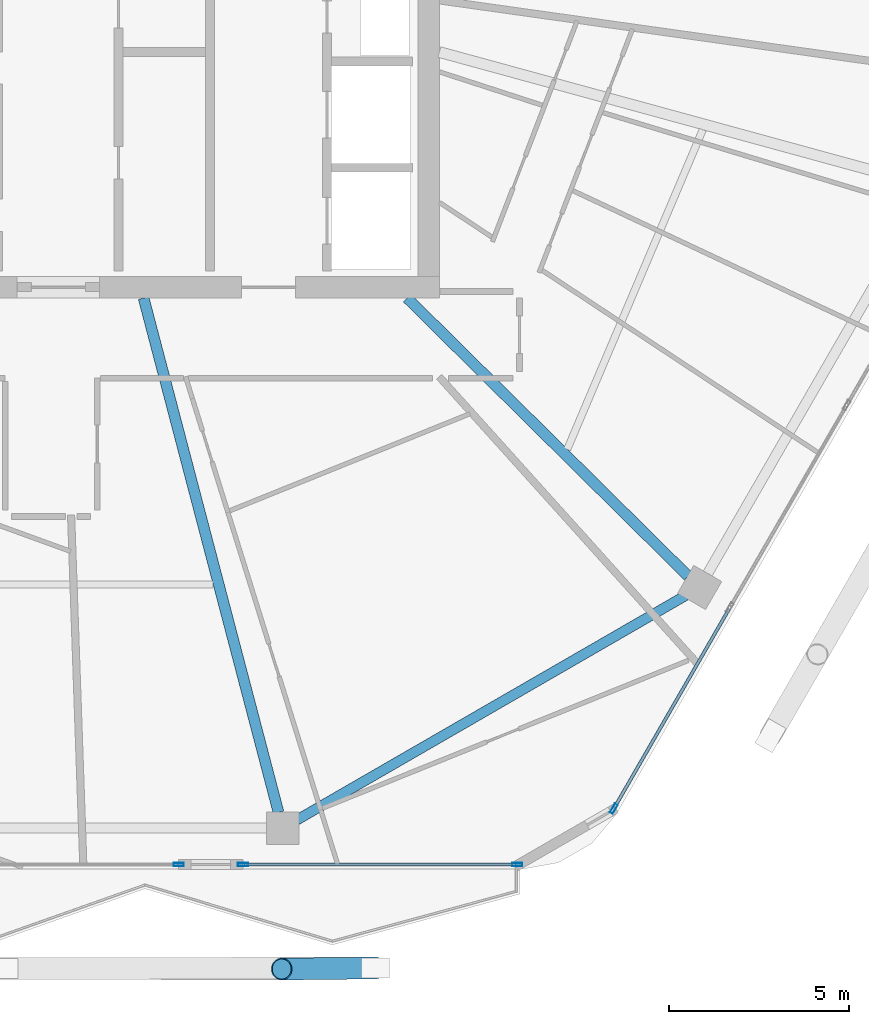
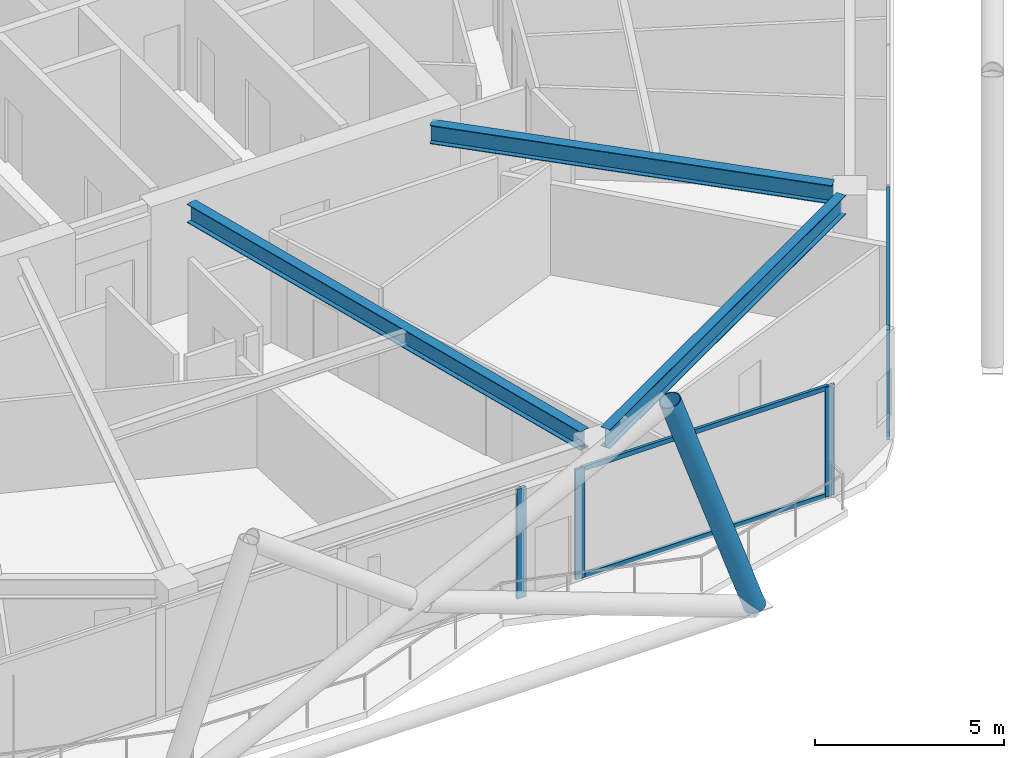
# One storey, part 8 of 26: 9 members, 3 beams, 3 elements without a shape of their own.
"""IFC4 building model written with IfcOpenShell, lengths in metres."""

from ifc_helpers import new_model, si_unit, direction, frame, origin, origin_2d, place, context, subcontext, project, spatial, hollow_rectangle, hollow_circle, i_section, extrude, material, material_profile, profile_set, type_object, element, aggregate, save


model = new_model("IFC4")

# Units and contexts
model_context = context("Model", 3, precision=1e-05, world=origin(), true_north=direction((0.0, 1.0)))
body_context = subcontext(model_context, "Body", "Model", "MODEL_VIEW")
ifc_project = project(units=[si_unit("LENGTHUNIT", "METRE"), si_unit("AREAUNIT", "SQUARE_METRE"), si_unit("VOLUMEUNIT", "CUBIC_METRE"), si_unit("PLANEANGLEUNIT", "RADIAN"), si_unit("MASSUNIT", "GRAM", prefix="KILO")], contexts=[model_context])

# Site, building, storey
site_placement = place(None, origin())
site = spatial("IfcSite", under=ifc_project, at=site_placement, CompositionType="ELEMENT")
building_placement = place(site_placement, origin())
building = spatial("IfcBuilding", under=site, at=building_placement, Name="Zuhravey Tower", CompositionType="ELEMENT")
storey_placement = place(building_placement, frame((0.0, 0.0, 231.199951171875)))
storey = spatial("IfcBuildingStorey", under=building, at=storey_placement, Name="L58", CompositionType="ELEMENT", Elevation=231.199951171875)

# Curtain wall, member
ifc_material_1 = material(Name="Thermally broken anodised aluminium", Category="aluminium")
curtain_wall_type = type_object("IfcCurtainWallType", Name="Zone 3-4 High-Rise Curtain Wall CW4", PredefinedType="NOTDEFINED", material=ifc_material_1)
curtain_wall_1_placement = place(storey_placement, origin())
curtain_wall_1 = element("IfcCurtainWall", 1, at=curtain_wall_1_placement, inside=storey, type_object=curtain_wall_type, Name="L58 CW4 CW-L58-F6-1", PredefinedType="NOTDEFINED")
ifc_material_2 = material(Name="Anodised aluminium", Category="aluminium")
ifc_material_profile_1 = material_profile(ifc_material_2, hollow_rectangle(XDim=0.090087890625, YDim=0.284912109375, WallThickness=0.0048828125, at=origin_2d()), Name="ALU-RHS-90x285x5")
ifc_profile_set_1 = profile_set([ifc_material_profile_1], Name="Anodised aluminium")
member_type_1 = type_object("IfcMemberType", Name="Curtain-Wall Mullion 90x180", PredefinedType="MULLION", material=ifc_profile_set_1)
member_1_placement = place(storey_placement, frame((51.65478515625, 7.98779296875, 0.0), z_axis=(0.0, 0.0, 1.0), x_axis=(0.866024851021, -0.500000957414, 0.0)))
member_1 = element("IfcMember", 2, at=member_1_placement, type_object=member_type_1, Name="CW4 mullion 5", PredefinedType="MULLION", context=body_context, shape_type="SweptSolid", body=[
    extrude(hollow_rectangle(XDim=0.090087890625, YDim=0.284912109375, WallThickness=0.0048828125, at=origin_2d()), origin(), (0.0, 0.0, 1.0), 3.550048828125),
])

# Curtain wall, members
curtain_wall_2_placement = place(storey_placement, origin())
curtain_wall_2 = element("IfcCurtainWall", 3, at=curtain_wall_2_placement, inside=storey, type_object=curtain_wall_type, Name="L58 CW4 CW-L58-F5-1", PredefinedType="NOTDEFINED")
member_2_placement = place(storey_placement, frame((48.9677734375, 6.436279296875, 0.0), z_axis=(0.0, 0.0, 1.0), x_axis=(0.0, -1.0, 0.0)))
member_2 = element("IfcMember", 4, at=member_2_placement, type_object=member_type_1, Name="CW4 mullion 1", PredefinedType="MULLION", context=body_context, shape_type="SweptSolid", body=[
    extrude(hollow_rectangle(XDim=0.090087890625, YDim=0.284912109375, WallThickness=0.0048828125, at=origin_2d()), origin(), (0.0, 0.0, 1.0), 3.550048828125),
])
member_3_placement = place(storey_placement, frame((41.335693359375, 6.436279296875, 0.0), z_axis=(0.0, 0.0, 1.0), x_axis=(0.0, -1.0, 0.0)))
member_3 = element("IfcMember", 5, at=member_3_placement, type_object=member_type_1, Name="CW4 mullion 2", PredefinedType="MULLION", context=body_context, shape_type="SweptSolid", body=[
    extrude(hollow_rectangle(XDim=0.090087890625, YDim=0.284912109375, WallThickness=0.0048828125, at=origin_2d()), origin(), (0.0, 0.0, 1.0), 3.550048828125),
])

# Curtain wall, member
curtain_wall_3_placement = place(storey_placement, origin())
curtain_wall_3 = element("IfcCurtainWall", 6, at=curtain_wall_3_placement, inside=storey, type_object=curtain_wall_type, Name="L58 CW4 CW-L58-F5-2", PredefinedType="NOTDEFINED")
member_4_placement = place(storey_placement, frame((39.545654296875, 6.436279296875, 0.0), z_axis=(0.0, 0.0, 1.0), x_axis=(0.0, -1.0, 0.0)))
member_4 = element("IfcMember", 7, at=member_4_placement, type_object=member_type_1, Name="CW4 mullion 1", PredefinedType="MULLION", context=body_context, shape_type="SweptSolid", body=[
    extrude(hollow_rectangle(XDim=0.090087890625, YDim=0.284912109375, WallThickness=0.0048828125, at=origin_2d()), origin(), (0.0, 0.0, 1.0), 3.550048828125),
])
aggregate(curtain_wall_3, [member_4])

# Member
ifc_material_profile_2 = material_profile(ifc_material_2, hollow_rectangle(XDim=0.090087890625, YDim=0.14990234375, WallThickness=0.0048828125, at=origin_2d()), Name="ALU-RHS-90x150x5")
ifc_profile_set_2 = profile_set([ifc_material_profile_2], Name="Anodised aluminium")
member_type_2 = type_object("IfcMemberType", Name="Curtain-Wall Transom 90x150", PredefinedType="USERDEFINED", material=ifc_profile_set_2)
member_5_placement = place(storey_placement, frame((54.863037109375, 13.544677734375, 0.045166015625), z_axis=(-0.499980071345, -0.866036909293, 0.0), x_axis=(0.866036909293, -0.499980071345, 0.0)))
member_5 = element("IfcMember", 8, at=member_5_placement, type_object=member_type_2, Name="CW4 transom 4.1", ObjectType="TRANSOM", PredefinedType="USERDEFINED", context=body_context, shape_type="SweptSolid", body=[
    extrude(hollow_rectangle(XDim=0.090087890625, YDim=0.14990234375, WallThickness=0.0048828125, at=origin_2d()), origin(), (0.0, 0.0, 1.0), 6.371337890625),
])

member_6_placement = place(storey_placement, frame((54.863037109375, 13.544677734375, 3.505126953125), z_axis=(-0.499980071345, -0.866036909293, 0.0), x_axis=(0.866036909293, -0.499980071345, 0.0)))
member_6 = element("IfcMember", 9, at=member_6_placement, type_object=member_type_2, Name="CW4 transom 4.2", ObjectType="TRANSOM", PredefinedType="USERDEFINED", context=body_context, shape_type="SweptSolid", body=[
    extrude(hollow_rectangle(XDim=0.090087890625, YDim=0.14990234375, WallThickness=0.0048828125, at=origin_2d()), origin(), (0.0, 0.0, 1.0), 6.371337890625),
])

aggregate(curtain_wall_1, [member_1, member_5, member_6])

member_7_placement = place(storey_placement, frame((48.922607421875, 6.436279296875, 0.045166015625), z_axis=(-1.0, 0.0, 0.0), x_axis=(0.0, -1.0, 0.0)))
member_7 = element("IfcMember", 10, at=member_7_placement, type_object=member_type_2, Name="CW4 transom 1.1", ObjectType="TRANSOM", PredefinedType="USERDEFINED", context=body_context, shape_type="SweptSolid", body=[
    extrude(hollow_rectangle(XDim=0.090087890625, YDim=0.14990234375, WallThickness=0.0048828125, at=origin_2d()), origin(), (0.0, 0.0, 1.0), 7.5419921875),
])

member_8_placement = place(storey_placement, frame((48.922607421875, 6.436279296875, 3.505126953125), z_axis=(-1.0, 0.0, 0.0), x_axis=(0.0, -1.0, 0.0)))
member_8 = element("IfcMember", 11, at=member_8_placement, type_object=member_type_2, Name="CW4 transom 1.2", ObjectType="TRANSOM", PredefinedType="USERDEFINED", context=body_context, shape_type="SweptSolid", body=[
    extrude(hollow_rectangle(XDim=0.090087890625, YDim=0.14990234375, WallThickness=0.0048828125, at=origin_2d()), origin(), (0.0, 0.0, 1.0), 7.5419921875),
])

aggregate(curtain_wall_2, [member_2, member_3, member_7, member_8])

ifc_material_3 = material(Name="Steel SM355", Category="steel")
ifc_material_profile_3 = material_profile(ifc_material_3, hollow_circle(Radius=0.3046875, WallThickness=0.028076171875, at=origin_2d()), Name="CHS-609.6x28")
ifc_profile_set_3 = profile_set([ifc_material_profile_3], Name="Steel SM355")
member_type_3 = type_object("IfcMemberType", Name="Exoskeleton Zone 3 Diagrid CHS610x28", PredefinedType="BRACE", material=ifc_profile_set_3)
member_9_placement = place(storey_placement, frame((45.022705078125, 3.556396484375, -0.446044921875), z_axis=(-0.326048567383, -0.003752945329, 0.945345570206), x_axis=(0.011509624999, -0.999933762072, 0.0)))
element("IfcMember", 12, at=member_9_placement, inside=storey, type_object=member_type_3, Name="L58 Face 5 Diagrid Brace 4", PredefinedType="BRACE", context=body_context, shape_type="SweptSolid", body=[
    extrude(hollow_circle(Radius=0.3046875, WallThickness=0.028076171875, at=origin_2d()), origin(), (0.0, 0.0, 1.0), 8.00146484375),
])

# Beams
ifc_material_profile_4 = material_profile(ifc_material_3, i_section(OverallWidth=0.280029296875, OverallDepth=0.6201171875, WebThickness=0.011962890625, FlangeThickness=0.02001953125, at=origin_2d()), Name="H-620x280x12x20")
ifc_profile_set_4 = profile_set([ifc_material_profile_4], Name="Steel SM355")
beam_type_1 = type_object("IfcBeamType", Name="Perimeter Ring Beam H620x280", PredefinedType="BEAM", material=ifc_profile_set_4)
beam_1_placement = place(storey_placement, frame((42.833251953125, 7.6728515625, 3.239990234375), z_axis=(0.866025131093, 0.500000472315, 0.0), x_axis=(-0.500000472315, 0.866025131093, 0.0)))
element("IfcBeam", 13, at=beam_1_placement, inside=storey, type_object=beam_type_1, Name="L58 PB3 BM-L58-PB-10", PredefinedType="BEAM", context=body_context, shape_type="SweptSolid", body=[
    extrude(i_section(OverallWidth=0.280029296875, OverallDepth=0.6201171875, WebThickness=0.011962890625, FlangeThickness=0.02001953125, at=origin_2d()), origin(), (0.0, 0.0, 1.0), 12.49169921875),
])
ifc_material_profile_5 = material_profile(ifc_material_3, i_section(OverallWidth=0.300048828125, OverallDepth=0.60009765625, WebThickness=0.011962890625, FlangeThickness=0.02001953125, at=origin_2d()), Name="H-600x300x12x20")
ifc_profile_set_5 = profile_set([ifc_material_profile_5], Name="Steel SM355")
beam_type_2 = type_object("IfcBeamType", Name="Radial Primary Girder H600x300", PredefinedType="BEAM", material=ifc_profile_set_5)
beam_2_placement = place(storey_placement, frame((38.571533203125, 22.197021484375, 3.25), z_axis=(0.253731415841, -0.967274712073, 0.0), x_axis=(0.967274712073, 0.253731415841, 0.0)))
element("IfcBeam", 14, at=beam_2_placement, inside=storey, type_object=beam_type_2, Name="L58 RG3 BM-L58-RAD-10", PredefinedType="BEAM", context=body_context, shape_type="SweptSolid", body=[
    extrude(i_section(OverallWidth=0.300048828125, OverallDepth=0.60009765625, WebThickness=0.011962890625, FlangeThickness=0.02001953125, at=origin_2d()), origin(), (0.0, 0.0, 1.0), 14.796630859375),
])
beam_3_placement = place(storey_placement, frame((45.90673828125, 22.197021484375, 3.25), z_axis=(0.710816516282, -0.703377480576, 0.0), x_axis=(0.703377480576, 0.710816516282, 0.0)))
element("IfcBeam", 15, at=beam_3_placement, inside=storey, type_object=beam_type_2, Name="L58 RG3 BM-L58-RAD-11", PredefinedType="BEAM", context=body_context, shape_type="SweptSolid", body=[
    extrude(i_section(OverallWidth=0.300048828125, OverallDepth=0.60009765625, WebThickness=0.011962890625, FlangeThickness=0.02001953125, at=origin_2d()), origin(), (0.0, 0.0, 1.0), 10.994384765625),
])

save(model, "model.ifc")
